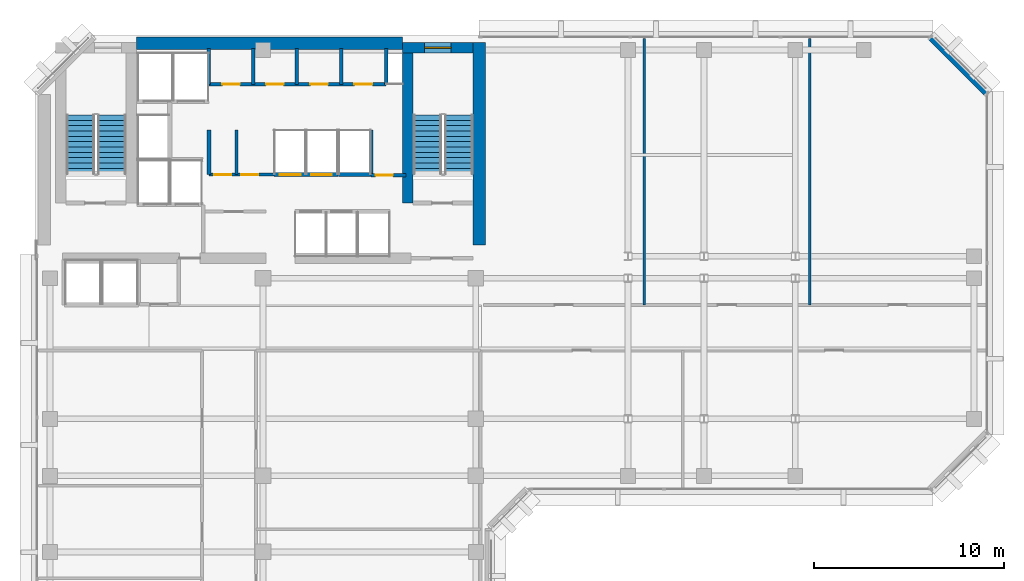
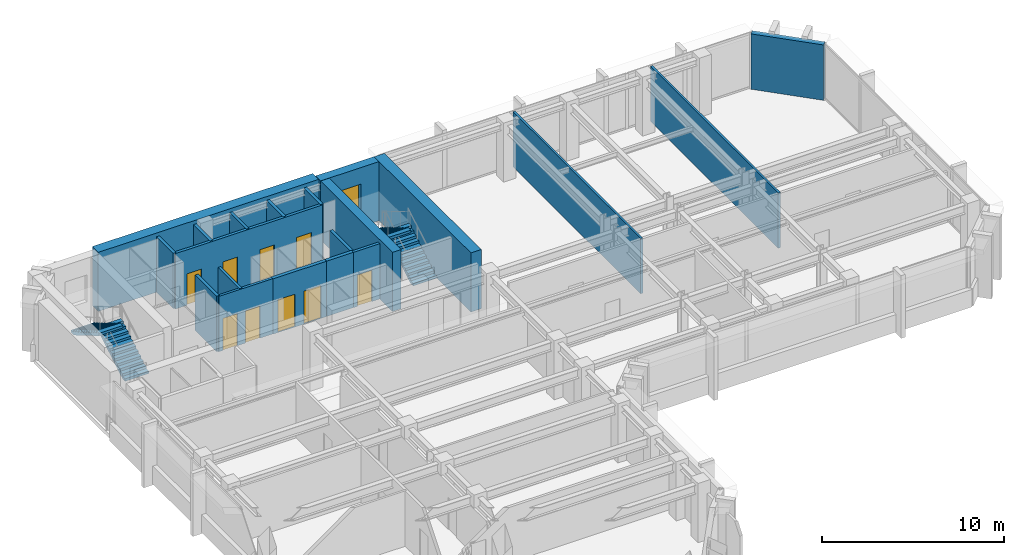
# One storey, part 8 of 12: 20 walls, 9 doors, 4 stair flights, 1 window, 10 openings, 2 elements without a shape of their own.
"""IFC4 building model written with IfcOpenShell, lengths in metres."""

from ifc_helpers import new_model, si_unit, direction, frame, frame_2d, origin, place, context, subcontext, project, spatial, polyline, rectangle, outline, extrude, material, layer, layer_set, type_object, element, fill, aggregate, save


model = new_model("IFC4")

# Units and contexts
model_context = context("Model", 3, precision=1e-05, world=origin(), true_north=direction((0.0, 1.0)))
body_context = subcontext(model_context, "Body", "Model", "MODEL_VIEW")
ifc_project = project(units=[si_unit("LENGTHUNIT", "METRE"), si_unit("AREAUNIT", "SQUARE_METRE"), si_unit("VOLUMEUNIT", "CUBIC_METRE"), si_unit("PLANEANGLEUNIT", "RADIAN"), si_unit("MASSUNIT", "GRAM", prefix="KILO")], contexts=[model_context])

# Site, building, storey
site_placement = place(None, origin())
site = spatial("IfcSite", under=ifc_project, at=site_placement, CompositionType="ELEMENT")
building_placement = place(site_placement, origin())
building = spatial("IfcBuilding", under=site, at=building_placement, Name="Kefirva Bronze Tower", CompositionType="ELEMENT")
storey_placement = place(building_placement, frame((0.0, 0.0, 203.280029296875)))
storey = spatial("IfcBuildingStorey", under=building, at=storey_placement, Name="L49", CompositionType="ELEMENT", Elevation=203.280029296875)

# Walls
ifc_material_1 = material(Name="Gypsum acoustic partition")
ifc_layer_1 = layer(ifc_material_1, 0.1298828125, Name="Gypsum acoustic partition")
ifc_layer_set_1 = layer_set([ifc_layer_1], Name="Gypsum acoustic partition")
wall_type_1 = type_object("IfcWallType", Name="Acoustic Office Partition 130mm", PredefinedType="PARTITIONING", material=ifc_layer_set_1)
for number, where, z_axis, x_axis, name in (
    (1, (32.05126953125, 31.800048828125, 0.0), (0.0, 0.0, 1.0), (0.0, 1.0, 0.0), "L49 Partition W-L49-END1"),
    (2, (40.7666015625, 31.800048828125, 0.0), (0.0, 0.0, 1.0), (0.0, 1.0, 0.0), "L49 Partition W-L49-END2"),
):
    element("IfcWall", number, at=place(storey_placement, frame(where, z_axis=z_axis, x_axis=x_axis)), inside=storey, type_object=wall_type_1, Name=name, PredefinedType="PARTITIONING", context=body_context, shape_type="SweptSolid", body=[
        extrude(rectangle(XDim=14.010009765625, YDim=0.1298828125, at=frame_2d((7.0048828125, 0.0))), origin(), (0.0, 0.0, 1.0), 3.7099609375),
    ])
ifc_material_2 = material(Name="Gypsum fireboard shaftwall")
ifc_layer_2 = layer(ifc_material_2, 0.219970703125, Name="Gypsum fireboard shaftwall")
ifc_layer_set_2 = layer_set([ifc_layer_2], Name="Gypsum fireboard shaftwall")
wall_type_2 = type_object("IfcWallType", Name="Fire-Rated Shaft Enclosure Wall 220mm", PredefinedType="PARTITIONING", material=ifc_layer_set_2)
for number, where, z_axis, x_axis, name in (
    (3, (9.159912109375, 38.64990234375, 0.0), (0.0, 0.0, 1.0), (0.0, 1.0, 0.0), "L49 Partition W-L49-LP3W"),
    (4, (17.679931640625, 38.64990234375, 0.0), (0.0, 0.0, 1.0), (0.0, 1.0, 0.0), "L49 Partition W-L49-HP2E"),
):
    element("IfcWall", number, at=place(storey_placement, frame(where, z_axis=z_axis, x_axis=x_axis)), inside=storey, type_object=wall_type_2, Name=name, PredefinedType="PARTITIONING", context=body_context, shape_type="SweptSolid", body=[
        extrude(rectangle(XDim=2.35009765625, YDim=0.199951171875, at=frame_2d((1.175048828125, 0.0))), origin(), (0.0, 0.0, 1.0), 3.7099609375),
    ])

# Wall, openings, doors
wall_1_placement = place(storey_placement, frame((12.580078125, 38.64990234375, 0.0), z_axis=(0.0, 0.0, 1.0), x_axis=(1.0, 0.0, 0.0)))
wall_1 = element("IfcWall", 5, at=wall_1_placement, inside=storey, type_object=wall_type_2, Name="L49 Partition W-L49-MPN", PredefinedType="PARTITIONING", context=body_context, shape_type="SweptSolid", body=[
    extrude(rectangle(XDim=3.3798828125, YDim=0.219970703125, at=frame_2d((1.68994140625, 0.0))), origin(), (0.0, 0.0, 1.0), 3.7099609375),
])
opening_1_placement = place(wall_1_placement, frame((0.300048828125, 0.0, 0.0)))
opening_1 = element("IfcOpeningElement", 6, at=opening_1_placement, cuts=wall_1, Name="Opening L49-LD-MP3", PredefinedType="OPENING", context=body_context, shape_type="SweptSolid", body=[
    extrude(rectangle(XDim=1.10009765625, YDim=2.199951171875, at=frame_2d((0.550048828125, 1.10009765625))), frame((0.0, 0.1201171875, 0.0), z_axis=(0.0, -1.0, 0.0), x_axis=(1.0, 0.0, 0.0)), (0.0, 0.0, 1.0), 0.239990234375),
])
opening_2_placement = place(wall_1_placement, frame((1.949951171875, 0.0, 0.0)))
opening_2 = element("IfcOpeningElement", 7, at=opening_2_placement, cuts=wall_1, Name="Opening L49-LD-MP4", PredefinedType="OPENING", context=body_context, shape_type="SweptSolid", body=[
    extrude(rectangle(XDim=1.10009765625, YDim=2.199951171875, at=frame_2d((0.550048828125, 1.10009765625))), frame((0.0, 0.1201171875, 0.0), z_axis=(0.0, -1.0, 0.0), x_axis=(1.0, 0.0, 0.0)), (0.0, 0.0, 1.0), 0.239990234375),
])
ifc_material_3 = material(Name="Stainless steel 316", Category="steel")
door_type_1 = type_object("IfcDoorType", Name="Passenger Lift Sliding Landing Door 1100x2200", OperationType="SLIDING_TO_LEFT", PredefinedType="DOOR", material=ifc_material_3)
door_1_placement = place(opening_1_placement, origin())
door_1 = element("IfcDoor", 8, at=door_1_placement, inside=storey, type_object=door_type_1, Name="Door L49-LD-MP3", OperationType="SLIDING_TO_RIGHT", OverallHeight=2.199951171875, OverallWidth=1.10009765625, PredefinedType="DOOR", context=body_context, shape_type="SweptSolid", body=[
    extrude(rectangle(XDim=1.10009765625, YDim=2.199951171875, at=frame_2d((0.550048828125, 1.10009765625))), frame((0.0, 0.02490234375, 0.0), z_axis=(0.0, -1.0, 0.0), x_axis=(1.0, 0.0, 0.0)), (0.0, 0.0, 1.0), 0.050048828125),
])
fill(opening_1, door_1)
door_2_placement = place(opening_2_placement, origin())
door_2 = element("IfcDoor", 9, at=door_2_placement, inside=storey, type_object=door_type_1, Name="Door L49-LD-MP4", OperationType="SLIDING_TO_RIGHT", OverallHeight=2.199951171875, OverallWidth=1.10009765625, PredefinedType="DOOR", context=body_context, shape_type="SweptSolid", body=[
    extrude(rectangle(XDim=1.10009765625, YDim=2.199951171875, at=frame_2d((0.550048828125, 1.10009765625))), frame((0.0, 0.02490234375, 0.0), z_axis=(0.0, -1.0, 0.0), x_axis=(1.0, 0.0, 0.0)), (0.0, 0.0, 1.0), 0.050048828125),
])
fill(opening_2, door_2)

# Wall
wall_2_placement = place(storey_placement, frame((15.97998046875, 38.64990234375, 0.0), z_axis=(0.0, 0.0, 1.0), x_axis=(1.0, 0.0, 0.0)))
element("IfcWall", 10, at=wall_2_placement, inside=storey, type_object=wall_type_2, Name="L49 Partition W-L49-HPN", PredefinedType="PARTITIONING", context=body_context, shape_type="SweptSolid", body=[
    extrude(rectangle(XDim=1.719970703125, YDim=0.219970703125, at=frame_2d((0.85986328125, 0.0))), origin(), (0.0, 0.0, 1.0), 3.7099609375),
])

# Wall, opening, door
ifc_material_4 = material(Name="Gypsum fireboard barrier")
ifc_layer_3 = layer(ifc_material_4, 0.199951171875, Name="Gypsum fireboard barrier")
ifc_layer_set_3 = layer_set([ifc_layer_3], Name="Gypsum fireboard barrier")
wall_type_3 = type_object("IfcWallType", Name="Firefighting Lobby Barrier Wall 200mm", PredefinedType="PARTITIONING", material=ifc_layer_set_3)
wall_3_placement = place(storey_placement, frame((17.679931640625, 38.6201171875, 0.0), z_axis=(0.0, 0.0, 1.0), x_axis=(1.0, 0.0, 0.0)))
wall_3 = element("IfcWall", 11, at=wall_3_placement, inside=storey, type_object=wall_type_3, Name="L49 Partition W-L49-CPASS", PredefinedType="PARTITIONING", context=body_context, shape_type="SweptSolid", body=[
    extrude(rectangle(XDim=1.840087890625, YDim=0.179931640625, at=frame_2d((0.919921875, 0.0))), origin(), (0.0, 0.0, 1.0), 3.7099609375),
])
opening_3_placement = place(wall_3_placement, frame((0.239990234375, 0.0, 0.0)))
opening_3 = element("IfcOpeningElement", 12, at=opening_3_placement, cuts=wall_3, Name="Opening L49-D-CPAS", PredefinedType="OPENING", context=body_context, shape_type="SweptSolid", body=[
    extrude(rectangle(XDim=0.919921875, YDim=2.10009765625, at=frame_2d((0.4599609375, 1.050048828125))), frame((0.0, 0.10009765625, 0.0), z_axis=(0.0, -1.0, 0.0), x_axis=(1.0, 0.0, 0.0)), (0.0, 0.0, 1.0), 0.199951171875),
])
ifc_material_5 = material(Name="Moisture-resistant timber", Category="wood")
door_type_2 = type_object("IfcDoorType", Name="Accessible Sanitary & WC Door 920x2100", OperationType="NOTDEFINED", PredefinedType="DOOR", material=ifc_material_5)
door_3_placement = place(opening_3_placement, origin())
door_3 = element("IfcDoor", 13, at=door_3_placement, inside=storey, type_object=door_type_2, Name="Door L49-D-CPAS", OperationType="SINGLE_SWING_LEFT", OverallHeight=2.10009765625, OverallWidth=0.919921875, PredefinedType="DOOR", context=body_context, shape_type="SweptSolid", body=[
    extrude(rectangle(XDim=0.919921875, YDim=2.10009765625, at=frame_2d((0.4599609375, 1.050048828125))), frame((0.0, 0.02490234375, 0.0), z_axis=(0.0, -1.0, 0.0), x_axis=(1.0, 0.0, 0.0)), (0.0, 0.0, 1.0), 0.050048828125),
])
fill(opening_3, door_3)

# Wall
ifc_material_6 = material(Name="Precast concrete C40/50", Category="concrete")
ifc_layer_4 = layer(ifc_material_6, 0.320068359375, Name="Precast concrete C40/50")
ifc_layer_set_4 = layer_set([ifc_layer_4], Name="Precast concrete C40/50")
wall_type_4 = type_object("IfcWallType", Name="Precast Insulated Exterior Wall 320mm", PredefinedType="SOLIDWALL", material=ifc_layer_set_4)
wall_4_placement = place(storey_placement, frame((50.048095703125, 42.92578125, 0.0), z_axis=(0.0, 0.0, 1.0), x_axis=(-0.707136318428, 0.707077242712, 0.0)))
element("IfcWall", 14, at=wall_4_placement, inside=storey, type_object=wall_type_4, Name="L49 Exterior Facade Wall 5", PredefinedType="SOLIDWALL", context=body_context, shape_type="SweptSolid", body=[
    extrude(rectangle(XDim=4.132568359375, YDim=0.320068359375, at=frame_2d((2.06640625, 0.0))), origin(), (0.0, 0.0, 1.0), 3.7099609375),
])

# Wall, openings, doors
ifc_layer_5 = layer(ifc_material_1, 0.159912109375, Name="Gypsum acoustic partition")
ifc_layer_set_5 = layer_set([ifc_layer_5], Name="Gypsum acoustic partition")
wall_type_5 = type_object("IfcWallType", Name="Protected Corridor Partition 160mm", PredefinedType="PARTITIONING", material=ifc_layer_set_5)
wall_5_placement = place(storey_placement, frame((9.159912109375, 38.64990234375, 0.0), z_axis=(0.0, 0.0, 1.0), x_axis=(1.0, 0.0, 0.0)))
wall_5 = element("IfcWall", 15, at=wall_5_placement, inside=storey, type_object=wall_type_5, Name="L49 Partition W-L49-RECLP2", PredefinedType="PARTITIONING", context=body_context, shape_type="SweptSolid", body=[
    extrude(rectangle(XDim=3.420166015625, YDim=0.159912109375, at=frame_2d((1.7099609375, 0.0))), origin(), (0.0, 0.0, 1.0), 3.7099609375),
])
opening_4_placement = place(wall_5_placement, frame((1.179931640625, 0.0, 0.0), z_axis=(0.0, 0.0, 1.0), x_axis=(-1.0, 0.0, 0.0)))
opening_4 = element("IfcOpeningElement", 16, at=opening_4_placement, cuts=wall_5, Name="Opening L49-D-RECLP2A", PredefinedType="OPENING", context=body_context, shape_type="SweptSolid", body=[
    extrude(rectangle(XDim=0.89990234375, YDim=2.14990234375, at=frame_2d((0.449951171875, 1.074951171875))), frame((0.0, 0.08984375, 0.0), z_axis=(0.0, -1.0, 0.0), x_axis=(1.0, 0.0, 0.0)), (0.0, 0.0, 1.0), 0.179931640625),
])
opening_5_placement = place(wall_5_placement, frame((2.599853515625, 0.0, 0.0), z_axis=(0.0, 0.0, 1.0), x_axis=(-1.0, 0.0, 0.0)))
opening_5 = element("IfcOpeningElement", 17, at=opening_5_placement, cuts=wall_5, Name="Opening L49-D-RECLP2B", PredefinedType="OPENING", context=body_context, shape_type="SweptSolid", body=[
    extrude(rectangle(XDim=0.89990234375, YDim=2.14990234375, at=frame_2d((0.449951171875, 1.074951171875))), frame((0.0, 0.08984375, 0.0), z_axis=(0.0, -1.0, 0.0), x_axis=(1.0, 0.0, 0.0)), (0.0, 0.0, 1.0), 0.179931640625),
])
ifc_material_7 = material(Name="Painted galvanized steel", Category="steel")
door_type_3 = type_object("IfcDoorType", Name="Core Archive & Server Fire Door 900x2150 FD60S", OperationType="NOTDEFINED", PredefinedType="DOOR", material=ifc_material_7)
door_4_placement = place(opening_4_placement, origin())
door_4 = element("IfcDoor", 18, at=door_4_placement, inside=storey, type_object=door_type_3, Name="Door L49-D-RECLP2A", OperationType="SINGLE_SWING_RIGHT", OverallHeight=2.14990234375, OverallWidth=0.89990234375, PredefinedType="DOOR", context=body_context, shape_type="SweptSolid", body=[
    extrude(rectangle(XDim=0.89990234375, YDim=2.14990234375, at=frame_2d((0.449951171875, 1.074951171875))), frame((0.0, 0.02490234375, 0.0), z_axis=(0.0, -1.0, 0.0), x_axis=(1.0, 0.0, 0.0)), (0.0, 0.0, 1.0), 0.050048828125),
])
fill(opening_4, door_4)
door_5_placement = place(opening_5_placement, origin())
door_5 = element("IfcDoor", 19, at=door_5_placement, inside=storey, type_object=door_type_3, Name="Door L49-D-RECLP2B", OperationType="SINGLE_SWING_LEFT", OverallHeight=2.14990234375, OverallWidth=0.89990234375, PredefinedType="DOOR", context=body_context, shape_type="SweptSolid", body=[
    extrude(rectangle(XDim=0.89990234375, YDim=2.14990234375, at=frame_2d((0.449951171875, 1.074951171875))), frame((0.0, 0.02490234375, 0.0), z_axis=(0.0, -1.0, 0.0), x_axis=(1.0, 0.0, 0.0)), (0.0, 0.0, 1.0), 0.050048828125),
])
fill(opening_5, door_5)

# Wall
wall_6_placement = place(storey_placement, frame((10.60009765625, 38.64990234375, 0.0), z_axis=(0.0, 0.0, 1.0), x_axis=(0.0, 1.0, 0.0)))
element("IfcWall", 20, at=wall_6_placement, inside=storey, type_object=wall_type_5, Name="L49 Partition W-L49-RECLP2D", PredefinedType="PARTITIONING", context=body_context, shape_type="SweptSolid", body=[
    extrude(rectangle(XDim=2.35009765625, YDim=0.159912109375, at=frame_2d((1.175048828125, 0.0))), origin(), (0.0, 0.0, 1.0), 3.7099609375),
])

# Wall, opening, window
ifc_material_8 = material(Name="Concrete C50/60", Category="concrete")
ifc_layer_6 = layer(ifc_material_8, 0.550048828125, Name="Concrete C50/60")
ifc_layer_set_6 = layer_set([ifc_layer_6], Name="Concrete C50/60")
wall_type_6 = type_object("IfcWallType", Name="RC Rear Core Exterior Wall 550mm", PredefinedType="SHEAR", material=ifc_layer_set_6)
wall_7_placement = place(storey_placement, frame((19.35009765625, 45.320068359375, 0.0), z_axis=(0.0, 0.0, 1.0), x_axis=(1.0, 0.0, 0.0)))
wall_7 = element("IfcWall", 21, at=wall_7_placement, inside=storey, type_object=wall_type_6, Name="L49 Stair 2 North Shear Wall", PredefinedType="SHEAR", context=body_context, shape_type="SweptSolid", body=[
    extrude(rectangle(XDim=3.68994140625, YDim=0.550048828125, at=frame_2d((1.844970703125, 0.0))), origin(), (0.0, 0.0, 1.0), 3.9599609375),
])
opening_6_placement = place(wall_7_placement, frame((1.14990234375, 0.0, 1.050048828125)))
opening_6 = element("IfcOpeningElement", 22, at=opening_6_placement, cuts=wall_7, Name="Opening WN-03", PredefinedType="OPENING", context=body_context, shape_type="SweptSolid", body=[
    extrude(rectangle(XDim=1.39990234375, YDim=1.800048828125, at=frame_2d((0.699951171875, 0.89990234375))), frame((0.0, 0.28515625, 0.0), z_axis=(0.0, -1.0, 0.0), x_axis=(1.0, 0.0, 0.0)), (0.0, 0.0, 1.0), 0.570068359375),
])
ifc_material_9 = material(Name="Laminated low-E double glazing", Category="glass")
window_type = type_object("IfcWindowType", Name="Rear-Core Stair Daylight Window 1400x1800", PartitioningType="SINGLE_PANEL", PredefinedType="WINDOW", material=ifc_material_9)
window_placement = place(opening_6_placement, origin())
window = element("IfcWindow", 23, at=window_placement, inside=storey, type_object=window_type, Name="L49 Stair 2 Daylight Window", OverallHeight=1.800048828125, OverallWidth=1.39990234375, PartitioningType="SINGLE_PANEL", PredefinedType="WINDOW", context=body_context, shape_type="SweptSolid", body=[
    extrude(rectangle(XDim=1.39990234375, YDim=1.800048828125, at=frame_2d((0.699951171875, 0.89990234375))), frame((0.0, 0.030029296875, 0.0), z_axis=(0.0, -1.0, 0.0), x_axis=(1.0, 0.0, 0.0)), (0.0, 0.0, 1.0), 0.06005859375),
])
fill(opening_6, window)

# Walls
ifc_layer_7 = layer(ifc_material_8, 0.64990234375, Name="Concrete C50/60")
ifc_layer_set_7 = layer_set([ifc_layer_7], Name="Concrete C50/60")
wall_type_7 = type_object("IfcWallType", Name="RC Rear Core Exterior Wall 650mm", PredefinedType="SHEAR", material=ifc_layer_set_7)
wall_8_placement = place(storey_placement, frame((5.360107421875, 45.550048828125, 0.0), z_axis=(0.0, 0.0, 1.0), x_axis=(1.0, 0.0, 0.0)))
element("IfcWall", 24, at=wall_8_placement, inside=storey, type_object=wall_type_7, Name="L49 Rear Core North Shear Wall", PredefinedType="SHEAR", context=body_context, shape_type="SweptSolid", body=[
    extrude(rectangle(XDim=13.97998046875, YDim=0.64990234375, at=frame_2d((6.989990234375, 0.0))), origin(), (0.0, 0.0, 1.0), 3.9599609375),
])
ifc_layer_8 = layer(ifc_material_8, 0.550048828125, Name="Concrete C50/60")
ifc_layer_set_8 = layer_set([ifc_layer_8], Name="Concrete C50/60")
wall_type_8 = type_object("IfcWallType", Name="RC Rear Core Interior Wall 550mm", PredefinedType="SHEAR", material=ifc_layer_set_8)
wall_9_placement = place(storey_placement, frame((19.6201171875, 37.14990234375, 0.0), z_axis=(0.0, 0.0, 1.0), x_axis=(0.0, 1.0, 0.0)))
element("IfcWall", 25, at=wall_9_placement, inside=storey, type_object=wall_type_8, Name="L49 Stair 2 West Shear Wall", PredefinedType="SHEAR", context=body_context, shape_type="SweptSolid", body=[
    extrude(rectangle(XDim=7.89013671875, YDim=0.550048828125, at=frame_2d((3.945068359375, 0.0))), origin(), (0.0, 0.0, 1.0), 3.9599609375),
])
ifc_layer_9 = layer(ifc_material_8, 0.64990234375, Name="Concrete C50/60")
ifc_layer_set_9 = layer_set([ifc_layer_9], Name="Concrete C50/60")
wall_type_9 = type_object("IfcWallType", Name="RC Rear Core Interior Wall 650mm", PredefinedType="SHEAR", material=ifc_layer_set_9)
wall_10_placement = place(storey_placement, frame((23.375, 34.949951171875, 0.0), z_axis=(0.0, 0.0, 1.0), x_axis=(0.0, 1.0, 0.0)))
element("IfcWall", 26, at=wall_10_placement, inside=storey, type_object=wall_type_9, Name="L49 Rear Core East Shear Wall", PredefinedType="SHEAR", context=body_context, shape_type="SweptSolid", body=[
    extrude(rectangle(XDim=10.64013671875, YDim=0.64990234375, at=frame_2d((5.320068359375, 0.0))), origin(), (0.0, 0.0, 1.0), 3.9599609375),
])

# Wall, openings, doors
ifc_material_10 = material(Name="Moisture-resistant partition")
ifc_layer_10 = layer(ifc_material_10, 0.179931640625, Name="Moisture-resistant partition")
ifc_layer_set_10 = layer_set([ifc_layer_10], Name="Moisture-resistant partition")
wall_type_10 = type_object("IfcWallType", Name="Sanitary Plumbing Chase Wall 180mm", PredefinedType="PLUMBINGWALL", material=ifc_layer_set_10)
wall_11_placement = place(storey_placement, frame((9.14990234375, 43.39990234375, 0.0), z_axis=(0.0, 0.0, 1.0), x_axis=(1.0, 0.0, 0.0)))
wall_11 = element("IfcWall", 27, at=wall_11_placement, inside=storey, type_object=wall_type_10, Name="L49 Partition W-L49-SVCS", PredefinedType="PLUMBINGWALL", context=body_context, shape_type="SweptSolid", body=[
    extrude(rectangle(XDim=9.330078125, YDim=0.179931640625, at=frame_2d((4.6650390625, 0.0))), origin(), (0.0, 0.0, 1.0), 3.7099609375),
])
opening_7_placement = place(wall_11_placement, frame((0.719970703125, 0.0, 0.0)))
opening_7 = element("IfcOpeningElement", 28, at=opening_7_placement, cuts=wall_11, Name="Opening L49-D-CSVC1", PredefinedType="OPENING", context=body_context, shape_type="SweptSolid", body=[
    extrude(rectangle(XDim=0.919921875, YDim=2.10009765625, at=frame_2d((0.4599609375, 1.050048828125))), frame((0.0, 0.10009765625, 0.0), z_axis=(0.0, -1.0, 0.0), x_axis=(1.0, 0.0, 0.0)), (0.0, 0.0, 1.0), 0.199951171875),
])
opening_8_placement = place(wall_11_placement, frame((3.02001953125, 0.0, 0.0)))
opening_8 = element("IfcOpeningElement", 29, at=opening_8_placement, cuts=wall_11, Name="Opening L49-D-CSVC2", PredefinedType="OPENING", context=body_context, shape_type="SweptSolid", body=[
    extrude(rectangle(XDim=0.919921875, YDim=2.10009765625, at=frame_2d((0.4599609375, 1.050048828125))), frame((0.0, 0.10009765625, 0.0), z_axis=(0.0, -1.0, 0.0), x_axis=(1.0, 0.0, 0.0)), (0.0, 0.0, 1.0), 0.199951171875),
])
opening_9_placement = place(wall_11_placement, frame((5.340087890625, 0.0, 0.0)))
opening_9 = element("IfcOpeningElement", 30, at=opening_9_placement, cuts=wall_11, Name="Opening L49-D-CSVC3", PredefinedType="OPENING", context=body_context, shape_type="SweptSolid", body=[
    extrude(rectangle(XDim=0.919921875, YDim=2.10009765625, at=frame_2d((0.4599609375, 1.050048828125))), frame((0.0, 0.10009765625, 0.0), z_axis=(0.0, -1.0, 0.0), x_axis=(1.0, 0.0, 0.0)), (0.0, 0.0, 1.0), 0.199951171875),
])
opening_10_placement = place(wall_11_placement, frame((7.659912109375, 0.0, 0.0)))
opening_10 = element("IfcOpeningElement", 31, at=opening_10_placement, cuts=wall_11, Name="Opening L49-D-CSVC4", PredefinedType="OPENING", context=body_context, shape_type="SweptSolid", body=[
    extrude(rectangle(XDim=0.949951171875, YDim=2.10009765625, at=frame_2d((0.47509765625, 1.050048828125))), frame((0.0, 0.10009765625, 0.0), z_axis=(0.0, -1.0, 0.0), x_axis=(1.0, 0.0, 0.0)), (0.0, 0.0, 1.0), 0.199951171875),
])
door_6_placement = place(opening_7_placement, origin())
door_6 = element("IfcDoor", 32, at=door_6_placement, inside=storey, type_object=door_type_2, Name="Door L49-D-CSVC1", OperationType="SINGLE_SWING_RIGHT", OverallHeight=2.10009765625, OverallWidth=0.919921875, PredefinedType="DOOR", context=body_context, shape_type="SweptSolid", body=[
    extrude(rectangle(XDim=0.919921875, YDim=2.10009765625, at=frame_2d((0.4599609375, 1.050048828125))), frame((0.0, 0.02490234375, 0.0), z_axis=(0.0, -1.0, 0.0), x_axis=(1.0, 0.0, 0.0)), (0.0, 0.0, 1.0), 0.050048828125),
])
fill(opening_7, door_6)
door_7_placement = place(opening_8_placement, origin())
door_7 = element("IfcDoor", 33, at=door_7_placement, inside=storey, type_object=door_type_2, Name="Door L49-D-CSVC2", OperationType="SINGLE_SWING_LEFT", OverallHeight=2.10009765625, OverallWidth=0.919921875, PredefinedType="DOOR", context=body_context, shape_type="SweptSolid", body=[
    extrude(rectangle(XDim=0.919921875, YDim=2.10009765625, at=frame_2d((0.4599609375, 1.050048828125))), frame((0.0, 0.02490234375, 0.0), z_axis=(0.0, -1.0, 0.0), x_axis=(1.0, 0.0, 0.0)), (0.0, 0.0, 1.0), 0.050048828125),
])
fill(opening_8, door_7)
door_8_placement = place(opening_9_placement, origin())
door_8 = element("IfcDoor", 34, at=door_8_placement, inside=storey, type_object=door_type_2, Name="Door L49-D-CSVC3", OperationType="SINGLE_SWING_RIGHT", OverallHeight=2.10009765625, OverallWidth=0.919921875, PredefinedType="DOOR", context=body_context, shape_type="SweptSolid", body=[
    extrude(rectangle(XDim=0.919921875, YDim=2.10009765625, at=frame_2d((0.4599609375, 1.050048828125))), frame((0.0, 0.02490234375, 0.0), z_axis=(0.0, -1.0, 0.0), x_axis=(1.0, 0.0, 0.0)), (0.0, 0.0, 1.0), 0.050048828125),
])
fill(opening_9, door_8)
door_type_4 = type_object("IfcDoorType", Name="Riser & Plant Shaft Fire Door 950x2100 FD60S", OperationType="NOTDEFINED", PredefinedType="DOOR", material=ifc_material_7)
door_9_placement = place(opening_10_placement, origin())
door_9 = element("IfcDoor", 35, at=door_9_placement, inside=storey, type_object=door_type_4, Name="Door L49-D-CSVC4", OperationType="SINGLE_SWING_LEFT", OverallHeight=2.10009765625, OverallWidth=0.949951171875, PredefinedType="DOOR", context=body_context, shape_type="SweptSolid", body=[
    extrude(rectangle(XDim=0.949951171875, YDim=2.10009765625, at=frame_2d((0.47509765625, 1.050048828125))), frame((0.0, 0.02490234375, 0.0), z_axis=(0.0, -1.0, 0.0), x_axis=(1.0, 0.0, 0.0)), (0.0, 0.0, 1.0), 0.050048828125),
])
fill(opening_10, door_9)

# Walls
for number, where, z_axis, x_axis, name in (
    (36, (9.14990234375, 43.39990234375, 0.0), (0.0, 0.0, 1.0), (0.0, 1.0, 0.0), "L49 Partition W-L49-SVCW"),
    (37, (18.47998046875, 43.39990234375, 0.0), (0.0, 0.0, 1.0), (0.0, 1.0, 0.0), "L49 Partition W-L49-SVCE"),
    (38, (11.47998046875, 43.39990234375, 0.0), (0.0, 0.0, 1.0), (0.0, 1.0, 0.0), "L49 Partition W-L49-CSVD-1"),
    (39, (13.780029296875, 43.39990234375, 0.0), (0.0, 0.0, 1.0), (0.0, 1.0, 0.0), "L49 Partition W-L49-CSVD-2"),
    (40, (16.1201171875, 43.39990234375, 0.0), (0.0, 0.0, 1.0), (0.0, 1.0, 0.0), "L49 Partition W-L49-CSVD-3"),
):
    element("IfcWall", number, at=place(storey_placement, frame(where, z_axis=z_axis, x_axis=x_axis)), inside=storey, type_object=wall_type_10, Name=name, PredefinedType="PLUMBINGWALL", context=body_context, shape_type="SweptSolid", body=[
        extrude(rectangle(XDim=1.880126953125, YDim=0.179931640625, at=frame_2d((0.93994140625, 0.0))), origin(), (0.0, 0.0, 1.0), 3.7099609375),
    ])

# Stair, stair flights
ifc_material_11 = material(Name="Concrete C40/50", Category="concrete")
stair_type = type_object("IfcStairType", Name="RC Dogleg Protected Stair 24R", PredefinedType="HALF_TURN_STAIR", material=ifc_material_11)
stair_1_placement = place(storey_placement, origin())
stair_1 = element("IfcStair", 41, at=stair_1_placement, inside=storey, type_object=stair_type, Name="L49 Protected Exit Stair 1", PredefinedType="HALF_TURN_STAIR")
stair_flight_type = type_object("IfcStairFlightType", Name="RC Straight Stair Flight 24R", PredefinedType="STRAIGHT", material=ifc_material_11)
stair_flight_1_placement = place(storey_placement, frame((4.050048828125, 38.699951171875, 0.0), z_axis=(0.0, 0.0, 1.0), x_axis=(0.0, 1.0, 0.0)))
stair_flight_1 = element("IfcStairFlight", 42, at=stair_flight_1_placement, type_object=stair_flight_type, Name="ST-1 flight 1", NumberOfRisers=12, NumberOfTreads=11, PredefinedType="STRAIGHT", RiserHeight=0.165, TreadLength=0.28, context=body_context, shape_type="SweptSolid", body=[
    extrude(outline(polyline([(0.0, 0.0), (0.0, 0.1650390625), (0.280029296875, 0.1650390625), (0.280029296875, 0.330078125), (0.56005859375, 0.330078125), (0.56005859375, 0.4951171875), (0.840087890625, 0.4951171875), (0.840087890625, 0.659912109375), (1.1201171875, 0.659912109375), (1.1201171875, 0.824951171875), (1.39990234375, 0.824951171875), (1.39990234375, 0.989990234375), (1.679931640625, 0.989990234375), (1.679931640625, 1.155029296875), (1.9599609375, 1.155029296875), (1.9599609375, 1.320068359375), (2.239990234375, 1.320068359375), (2.239990234375, 1.485107421875), (2.52001953125, 1.485107421875), (2.52001953125, 1.64990234375), (2.800048828125, 1.64990234375), (2.800048828125, 1.81494140625), (3.080078125, 1.81494140625), (3.080078125, 1.97998046875), (3.080078125, 1.64111328125), (0.295166015625, 0.0), (0.0, 0.0)])), frame((0.0, 0.75, 0.0), z_axis=(0.0, -1.0, 0.0), x_axis=(1.0, 0.0, 0.0)), (0.0, 0.0, 1.0), 1.5),
])
stair_flight_2_placement = place(storey_placement, frame((2.39990234375, 41.780029296875, 1.97998046875), z_axis=(0.0, 0.0, 1.0), x_axis=(0.0, -1.0, 0.0)))
stair_flight_2 = element("IfcStairFlight", 43, at=stair_flight_2_placement, type_object=stair_flight_type, Name="ST-1 flight 2", NumberOfRisers=12, NumberOfTreads=11, PredefinedType="STRAIGHT", RiserHeight=0.165, TreadLength=0.28, context=body_context, shape_type="SweptSolid", body=[
    extrude(outline(polyline([(0.0, 0.0), (0.0, 0.1650390625), (0.280029296875, 0.1650390625), (0.280029296875, 0.330078125), (0.56005859375, 0.330078125), (0.56005859375, 0.4951171875), (0.840087890625, 0.4951171875), (0.840087890625, 0.659912109375), (1.1201171875, 0.659912109375), (1.1201171875, 0.824951171875), (1.39990234375, 0.824951171875), (1.39990234375, 0.989990234375), (1.679931640625, 0.989990234375), (1.679931640625, 1.155029296875), (1.9599609375, 1.155029296875), (1.9599609375, 1.320068359375), (2.239990234375, 1.320068359375), (2.239990234375, 1.485107421875), (2.52001953125, 1.485107421875), (2.52001953125, 1.64990234375), (2.800048828125, 1.64990234375), (2.800048828125, 1.81494140625), (3.080078125, 1.81494140625), (3.080078125, 1.97998046875), (3.080078125, 1.64111328125), (0.295166015625, 0.0), (0.0, 0.0)])), frame((0.0, 0.75, 0.0), z_axis=(0.0, -1.0, 0.0), x_axis=(1.0, 0.0, 0.0)), (0.0, 0.0, 1.0), 1.5),
])
aggregate(stair_1, [stair_flight_1, stair_flight_2])

stair_2_placement = place(storey_placement, origin())
stair_2 = element("IfcStair", 44, at=stair_2_placement, inside=storey, type_object=stair_type, Name="L49 Protected Exit Stair 2", PredefinedType="HALF_TURN_STAIR")
stair_flight_3_placement = place(storey_placement, frame((22.300048828125, 38.699951171875, 0.0), z_axis=(0.0, 0.0, 1.0), x_axis=(0.0, 1.0, 0.0)))
stair_flight_3 = element("IfcStairFlight", 45, at=stair_flight_3_placement, type_object=stair_flight_type, Name="ST-2 flight 1", NumberOfRisers=12, NumberOfTreads=11, PredefinedType="STRAIGHT", RiserHeight=0.165, TreadLength=0.28, context=body_context, shape_type="SweptSolid", body=[
    extrude(outline(polyline([(0.0, 0.0), (0.0, 0.1650390625), (0.280029296875, 0.1650390625), (0.280029296875, 0.330078125), (0.56005859375, 0.330078125), (0.56005859375, 0.4951171875), (0.840087890625, 0.4951171875), (0.840087890625, 0.659912109375), (1.1201171875, 0.659912109375), (1.1201171875, 0.824951171875), (1.39990234375, 0.824951171875), (1.39990234375, 0.989990234375), (1.679931640625, 0.989990234375), (1.679931640625, 1.155029296875), (1.9599609375, 1.155029296875), (1.9599609375, 1.320068359375), (2.239990234375, 1.320068359375), (2.239990234375, 1.485107421875), (2.52001953125, 1.485107421875), (2.52001953125, 1.64990234375), (2.800048828125, 1.64990234375), (2.800048828125, 1.81494140625), (3.080078125, 1.81494140625), (3.080078125, 1.97998046875), (3.080078125, 1.64111328125), (0.295166015625, 0.0), (0.0, 0.0)])), frame((0.0, 0.75, 0.0), z_axis=(0.0, -1.0, 0.0), x_axis=(1.0, 0.0, 0.0)), (0.0, 0.0, 1.0), 1.5),
])
stair_flight_4_placement = place(storey_placement, frame((20.64990234375, 41.780029296875, 1.97998046875), z_axis=(0.0, 0.0, 1.0), x_axis=(0.0, -1.0, 0.0)))
stair_flight_4 = element("IfcStairFlight", 46, at=stair_flight_4_placement, type_object=stair_flight_type, Name="ST-2 flight 2", NumberOfRisers=12, NumberOfTreads=11, PredefinedType="STRAIGHT", RiserHeight=0.165, TreadLength=0.28, context=body_context, shape_type="SweptSolid", body=[
    extrude(outline(polyline([(0.0, 0.0), (0.0, 0.1650390625), (0.280029296875, 0.1650390625), (0.280029296875, 0.330078125), (0.56005859375, 0.330078125), (0.56005859375, 0.4951171875), (0.840087890625, 0.4951171875), (0.840087890625, 0.659912109375), (1.1201171875, 0.659912109375), (1.1201171875, 0.824951171875), (1.39990234375, 0.824951171875), (1.39990234375, 0.989990234375), (1.679931640625, 0.989990234375), (1.679931640625, 1.155029296875), (1.9599609375, 1.155029296875), (1.9599609375, 1.320068359375), (2.239990234375, 1.320068359375), (2.239990234375, 1.485107421875), (2.52001953125, 1.485107421875), (2.52001953125, 1.64990234375), (2.800048828125, 1.64990234375), (2.800048828125, 1.81494140625), (3.080078125, 1.81494140625), (3.080078125, 1.97998046875), (3.080078125, 1.64111328125), (0.295166015625, 0.0), (0.0, 0.0)])), frame((0.0, 0.75, 0.0), z_axis=(0.0, -1.0, 0.0), x_axis=(1.0, 0.0, 0.0)), (0.0, 0.0, 1.0), 1.5),
])
aggregate(stair_2, [stair_flight_3, stair_flight_4])

save(model, "model.ifc")
